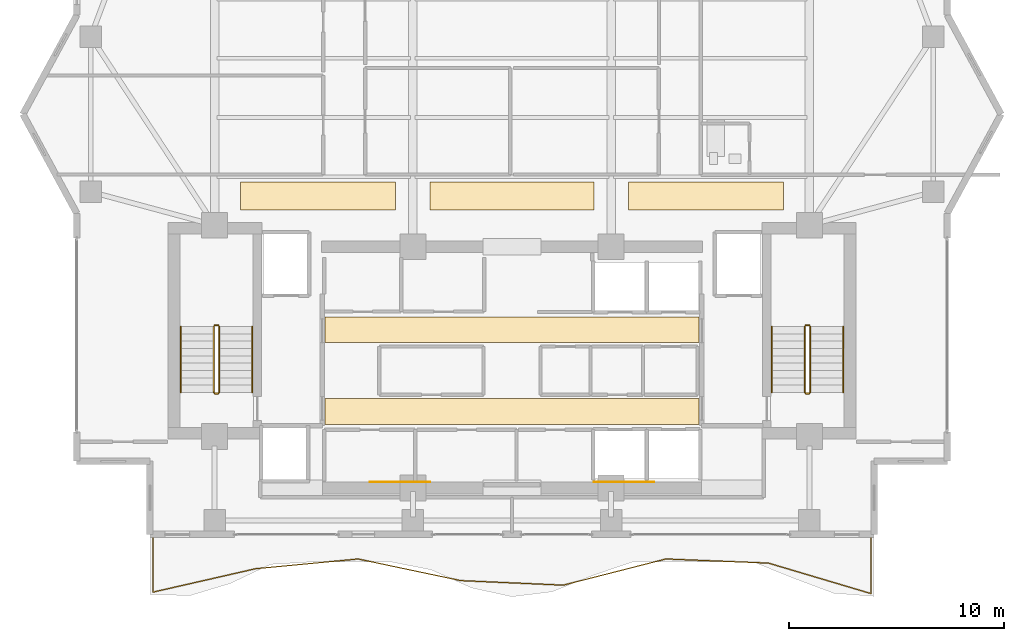
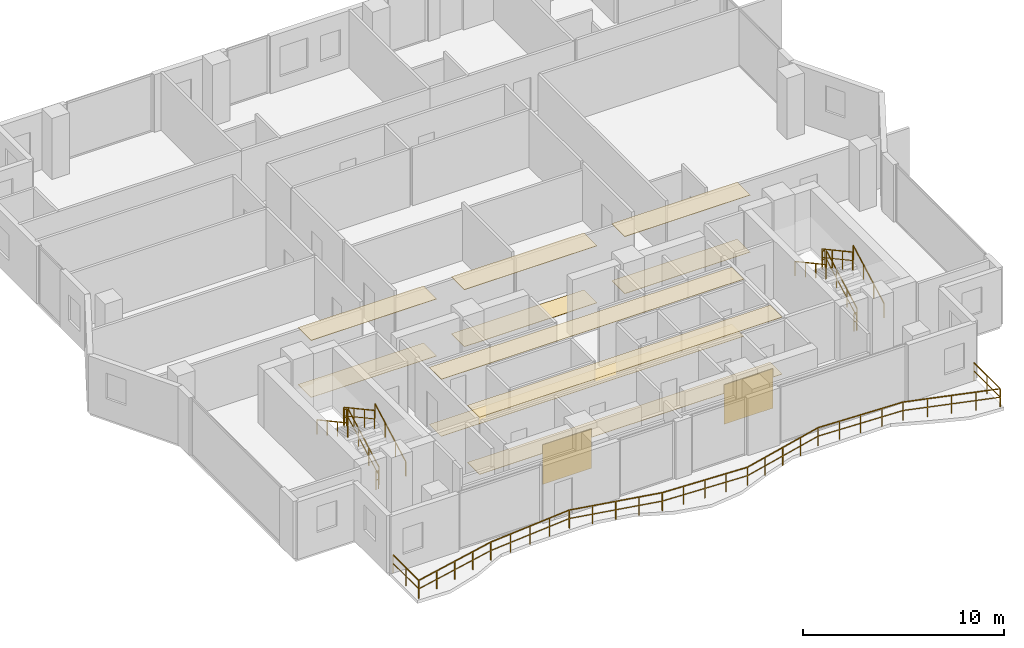
# One storey, part 22 of 24: 13 railings, 12 coverings.
"""IFC4 building model written with IfcOpenShell, lengths in metres."""

from ifc_helpers import new_model, si_unit, direction, frame, origin, origin_2d, place, context, subcontext, project, spatial, polyline, rectangle, outline, extrude, material, layer, layer_set, type_object, element, save


model = new_model("IFC4")

# Units and contexts
model_context = context("Model", 3, precision=1e-05, world=origin(), true_north=direction((0.0, 1.0)))
body_context = subcontext(model_context, "Body", "Model", "MODEL_VIEW")
ifc_project = project(units=[si_unit("LENGTHUNIT", "METRE"), si_unit("AREAUNIT", "SQUARE_METRE"), si_unit("VOLUMEUNIT", "CUBIC_METRE"), si_unit("PLANEANGLEUNIT", "RADIAN"), si_unit("MASSUNIT", "GRAM", prefix="KILO")], contexts=[model_context])

# Site, building, storey
site_placement = place(None, origin())
site = spatial("IfcSite", under=ifc_project, at=site_placement, CompositionType="ELEMENT")
building_placement = place(site_placement, origin())
building = spatial("IfcBuilding", under=site, at=building_placement, Name="Zuhayl Quay Hotel", CompositionType="ELEMENT")
storey_placement = place(building_placement, frame((0.0, 0.0, 269.25)))
storey = spatial("IfcBuildingStorey", under=building, at=storey_placement, Name="L68", CompositionType="ELEMENT", Elevation=269.25)

# Coverings
ifc_material_1 = material(Name="Acoustic Mineral-Fibre Gypsum Board")
ifc_layer_1 = layer(ifc_material_1, 0.02490234375, Name="Acoustic Mineral-Fibre Gypsum Board")
ifc_layer_set_1 = layer_set([ifc_layer_1], Name="Acoustic Mineral-Fibre Gypsum Board")
covering_type_1 = type_object("IfcCoveringType", Name="CV_CEIL_ACOUSTIC", PredefinedType="CEILING", material=ifc_layer_set_1)
covering_1_placement = place(storey_placement, frame((0.0, 0.0, 3.455078125)))
element("IfcCovering", 1, at=covering_1_placement, inside=storey, type_object=covering_type_1, Name="L68 Suspended Acoustic Lobby Ceiling S", PredefinedType="CEILING", context=body_context, shape_type="SweptSolid", body=[
    extrude(outline(polyline([(-8.679931640625, 5.10009765625), (8.679931640625, 5.10009765625), (8.679931640625, 6.300048828125), (-8.679931640625, 6.300048828125), (-8.679931640625, 5.10009765625)])), origin(), (0.0, 0.0, 1.0), 0.02490234375),
])
covering_2_placement = place(storey_placement, frame((0.0, 0.0, 3.455078125)))
element("IfcCovering", 2, at=covering_2_placement, inside=storey, type_object=covering_type_1, Name="L68 Suspended Acoustic Lobby Ceiling N", PredefinedType="CEILING", context=body_context, shape_type="SweptSolid", body=[
    extrude(outline(polyline([(-8.679931640625, 8.89990234375), (8.679931640625, 8.89990234375), (8.679931640625, 10.10009765625), (-8.679931640625, 10.10009765625), (-8.679931640625, 8.89990234375)])), origin(), (0.0, 0.0, 1.0), 0.02490234375),
])
covering_3_placement = place(storey_placement, frame((0.0, 0.0, 3.455078125)))
element("IfcCovering", 3, at=covering_3_placement, inside=storey, type_object=covering_type_1, Name="L68 Guest Corridor Acoustic Ceiling CW", PredefinedType="CEILING", context=body_context, shape_type="SweptSolid", body=[
    extrude(outline(polyline([(-12.60009765625, 15.050048828125), (-5.39990234375, 15.050048828125), (-5.39990234375, 16.35009765625), (-12.60009765625, 16.35009765625), (-12.60009765625, 15.050048828125)])), origin(), (0.0, 0.0, 1.0), 0.02490234375),
])
covering_4_placement = place(storey_placement, frame((0.0, 0.0, 3.455078125)))
element("IfcCovering", 4, at=covering_4_placement, inside=storey, type_object=covering_type_1, Name="L68 Guest Corridor Acoustic Ceiling CC", PredefinedType="CEILING", context=body_context, shape_type="SweptSolid", body=[
    extrude(outline(polyline([(-3.800048828125, 15.050048828125), (3.800048828125, 15.050048828125), (3.800048828125, 16.35009765625), (-3.800048828125, 16.35009765625), (-3.800048828125, 15.050048828125)])), origin(), (0.0, 0.0, 1.0), 0.02490234375),
])
covering_5_placement = place(storey_placement, frame((0.0, 0.0, 3.455078125)))
element("IfcCovering", 5, at=covering_5_placement, inside=storey, type_object=covering_type_1, Name="L68 Guest Corridor Acoustic Ceiling CE", PredefinedType="CEILING", context=body_context, shape_type="SweptSolid", body=[
    extrude(outline(polyline([(5.39990234375, 15.050048828125), (12.60009765625, 15.050048828125), (12.60009765625, 16.35009765625), (5.39990234375, 16.35009765625), (5.39990234375, 15.050048828125)])), origin(), (0.0, 0.0, 1.0), 0.02490234375),
])
ifc_material_2 = material(Name="Polished Limestone Terrazzo", Category="masonry")
ifc_layer_2 = layer(ifc_material_2, 0.02001953125, Name="Polished Limestone Terrazzo", Category="masonry")
ifc_layer_set_2 = layer_set([ifc_layer_2], Name="Polished Limestone Terrazzo")
covering_type_2 = type_object("IfcCoveringType", Name="CV_FLOOR_TERRAZZO", PredefinedType="FLOORING", material=ifc_layer_set_2)
covering_6_placement = place(storey_placement, origin())
element("IfcCovering", 6, at=covering_6_placement, inside=storey, type_object=covering_type_2, Name="L68 Honed Limestone Terrazzo Lobby Flooring S", PredefinedType="FLOORING", context=body_context, shape_type="SweptSolid", body=[
    extrude(outline(polyline([(-8.679931640625, 5.10009765625), (8.679931640625, 5.10009765625), (8.679931640625, 6.300048828125), (-8.679931640625, 6.300048828125), (-8.679931640625, 5.10009765625)])), origin(), (0.0, 0.0, 1.0), 0.02001953125),
])
covering_7_placement = place(storey_placement, origin())
element("IfcCovering", 7, at=covering_7_placement, inside=storey, type_object=covering_type_2, Name="L68 Honed Limestone Terrazzo Lobby Flooring N", PredefinedType="FLOORING", context=body_context, shape_type="SweptSolid", body=[
    extrude(outline(polyline([(-8.679931640625, 8.89990234375), (8.679931640625, 8.89990234375), (8.679931640625, 10.10009765625), (-8.679931640625, 10.10009765625), (-8.679931640625, 8.89990234375)])), origin(), (0.0, 0.0, 1.0), 0.02001953125),
])
covering_8_placement = place(storey_placement, origin())
element("IfcCovering", 8, at=covering_8_placement, inside=storey, type_object=covering_type_2, Name="L68 Guest Corridor Terrazzo Runner CW", PredefinedType="FLOORING", context=body_context, shape_type="SweptSolid", body=[
    extrude(outline(polyline([(-12.60009765625, 15.050048828125), (-5.39990234375, 15.050048828125), (-5.39990234375, 16.35009765625), (-12.60009765625, 16.35009765625), (-12.60009765625, 15.050048828125)])), origin(), (0.0, 0.0, 1.0), 0.02001953125),
])
covering_9_placement = place(storey_placement, origin())
element("IfcCovering", 9, at=covering_9_placement, inside=storey, type_object=covering_type_2, Name="L68 Guest Corridor Terrazzo Runner CC", PredefinedType="FLOORING", context=body_context, shape_type="SweptSolid", body=[
    extrude(outline(polyline([(-3.800048828125, 15.050048828125), (3.800048828125, 15.050048828125), (3.800048828125, 16.35009765625), (-3.800048828125, 16.35009765625), (-3.800048828125, 15.050048828125)])), origin(), (0.0, 0.0, 1.0), 0.02001953125),
])
covering_10_placement = place(storey_placement, origin())
element("IfcCovering", 10, at=covering_10_placement, inside=storey, type_object=covering_type_2, Name="L68 Guest Corridor Terrazzo Runner CE", PredefinedType="FLOORING", context=body_context, shape_type="SweptSolid", body=[
    extrude(outline(polyline([(5.39990234375, 15.050048828125), (12.60009765625, 15.050048828125), (12.60009765625, 16.35009765625), (5.39990234375, 16.35009765625), (5.39990234375, 15.050048828125)])), origin(), (0.0, 0.0, 1.0), 0.02001953125),
])
ifc_material_3 = material(Name="Acoustic Walnut Feature Timber", Category="wood")
ifc_layer_3 = layer(ifc_material_3, 0.02197265625, Name="Acoustic Walnut Feature Timber", Category="wood")
ifc_layer_set_3 = layer_set([ifc_layer_3], Name="Acoustic Walnut Feature Timber")
covering_type_3 = type_object("IfcCoveringType", Name="CV_WALL_CLAD", PredefinedType="CLADDING", material=ifc_layer_set_3)
for number, where, z_axis, x_axis, name in (
    (11, (-5.199951171875, 2.43603515625, 0.300048828125), (0.0, 0.0, 1.0), (1.0, 0.0, 0.0), "L68 Feature Lobby Walnut Wall Cladding W"),
    (12, (5.199951171875, 2.43603515625, 0.300048828125), (0.0, 0.0, 1.0), (1.0, 0.0, 0.0), "L68 Feature Lobby Walnut Wall Cladding E"),
):
    element("IfcCovering", number, at=place(storey_placement, frame(where, z_axis=z_axis, x_axis=x_axis)), inside=storey, type_object=covering_type_3, Name=name, PredefinedType="CLADDING", context=body_context, shape_type="SweptSolid", body=[
        extrude(rectangle(XDim=2.800048828125, YDim=0.02197265625, at=origin_2d()), origin(), (0.0, 0.0, 1.0), 2.39990234375),
    ])

# Railings
ifc_material_4 = material(Name="Anodised Aluminium and Laminated Glass", Category="aluminium")
railing_type_1 = type_object("IfcRailingType", Name="RL_EXT_BAL_1100", PredefinedType="BALUSTRADE", material=ifc_material_4)
railing_1_placement = place(storey_placement, frame((-16.659912109375, -0.1201171875, 0.0)))
element("IfcRailing", 13, at=railing_1_placement, inside=storey, type_object=railing_type_1, Name="L68 Balcony and Terrace Guard GR_L68_BAL_S", PredefinedType="BALUSTRADE", context=body_context, shape_type="SweptSolid", body=[
    extrude(rectangle(XDim=0.048095703125, YDim=0.048095703125, at=origin_2d()), frame((0.0, 0.0, 1.09619140625), z_axis=(0.0, -1.0, 0.0), x_axis=(1.0, 0.0, 0.0)), (0.0, 0.0, 1.0), 2.557861328125),
    extrude(rectangle(XDim=0.0361328125, YDim=0.0361328125, at=origin_2d()), frame((0.0, 0.0, 0.58251953125), z_axis=(0.0, -1.0, 0.0), x_axis=(1.0, 0.0, 0.0)), (0.0, 0.0, 1.0), 2.557861328125),
    extrude(rectangle(XDim=0.048095703125, YDim=0.048095703125, at=origin_2d()), frame((0.0, -2.557861328125, 1.09619140625), z_axis=(0.97493944261, 0.222470409815, 0.0), x_axis=(-0.222470409815, 0.97493944261, 0.0)), (0.0, 0.0, 1.0), 4.88232421875),
    extrude(rectangle(XDim=0.0361328125, YDim=0.0361328125, at=origin_2d()), frame((0.0, -2.557861328125, 0.58251953125), z_axis=(0.97493944261, 0.222470409815, 0.0), x_axis=(-0.222470409815, 0.97493944261, 0.0)), (0.0, 0.0, 1.0), 4.88232421875),
    extrude(rectangle(XDim=0.048095703125, YDim=0.048095703125, at=origin_2d()), frame((4.760009765625, -1.4716796875, 1.09619140625), z_axis=(0.995523655096, 0.094512708908, 0.0), x_axis=(-0.094512708908, 0.995523655096, 0.0)), (0.0, 0.0, 1.0), 4.781494140625),
    extrude(rectangle(XDim=0.0361328125, YDim=0.0361328125, at=origin_2d()), frame((4.760009765625, -1.4716796875, 0.58251953125), z_axis=(0.995523655096, 0.094512708908, 0.0), x_axis=(-0.094512708908, 0.995523655096, 0.0)), (0.0, 0.0, 1.0), 4.781494140625),
    extrude(rectangle(XDim=0.048095703125, YDim=0.048095703125, at=origin_2d()), frame((9.52001953125, -1.019775390625, 1.09619140625), z_axis=(0.978485306773, -0.206316515164, 0.0), x_axis=(0.206316515164, 0.978485306773, 0.0)), (0.0, 0.0, 1.0), 4.86474609375),
    extrude(rectangle(XDim=0.0361328125, YDim=0.0361328125, at=origin_2d()), frame((9.52001953125, -1.019775390625, 0.58251953125), z_axis=(0.978485306773, -0.206316515164, 0.0), x_axis=(0.206316515164, 0.978485306773, 0.0)), (0.0, 0.0, 1.0), 4.86474609375),
    extrude(rectangle(XDim=0.048095703125, YDim=0.048095703125, at=origin_2d()), frame((14.280029296875, -2.0234375, 1.09619140625), z_axis=(0.999026243054, -0.044119901276, 0.0), x_axis=(0.044119901276, 0.999026243054, 0.0)), (0.0, 0.0, 1.0), 4.764404296875),
    extrude(rectangle(XDim=0.0361328125, YDim=0.0361328125, at=origin_2d()), frame((14.280029296875, -2.0234375, 0.58251953125), z_axis=(0.999026243054, -0.044119901276, 0.0), x_axis=(0.044119901276, 0.999026243054, 0.0)), (0.0, 0.0, 1.0), 4.764404296875),
    extrude(rectangle(XDim=0.048095703125, YDim=0.048095703125, at=origin_2d()), frame((19.039794921875, -2.233642578125, 1.09619140625), z_axis=(0.968988639682, 0.247105273452, 0.0), x_axis=(-0.247105273452, 0.968988639682, 0.0)), (0.0, 0.0, 1.0), 4.912353515625),
    extrude(rectangle(XDim=0.0361328125, YDim=0.0361328125, at=origin_2d()), frame((19.039794921875, -2.233642578125, 0.58251953125), z_axis=(0.968988639682, 0.247105273452, 0.0), x_axis=(-0.247105273452, 0.968988639682, 0.0)), (0.0, 0.0, 1.0), 4.912353515625),
    extrude(rectangle(XDim=0.048095703125, YDim=0.048095703125, at=origin_2d()), frame((23.7998046875, -1.019775390625, 1.09619140625), z_axis=(0.999198664798, -0.040025345295, 0.0), x_axis=(0.040025345295, 0.999198664798, 0.0)), (0.0, 0.0, 1.0), 4.763916015625),
    extrude(rectangle(XDim=0.0361328125, YDim=0.0361328125, at=origin_2d()), frame((23.7998046875, -1.019775390625, 0.58251953125), z_axis=(0.999198664798, -0.040025345295, 0.0), x_axis=(0.040025345295, 0.999198664798, 0.0)), (0.0, 0.0, 1.0), 4.763916015625),
    extrude(rectangle(XDim=0.048095703125, YDim=0.048095703125, at=origin_2d()), frame((28.559814453125, -1.21044921875, 1.09619140625), z_axis=(0.95856865379, -0.284861608456, 0.0), x_axis=(0.284861608456, 0.95856865379, 0.0)), (0.0, 0.0, 1.0), 4.9658203125),
    extrude(rectangle(XDim=0.0361328125, YDim=0.0361328125, at=origin_2d()), frame((28.559814453125, -1.21044921875, 0.58251953125), z_axis=(0.95856865379, -0.284861608456, 0.0), x_axis=(0.284861608456, 0.95856865379, 0.0)), (0.0, 0.0, 1.0), 4.9658203125),
    extrude(rectangle(XDim=0.048095703125, YDim=0.048095703125, at=origin_2d()), frame((33.31982421875, -2.625, 1.09619140625), z_axis=(0.0, 1.0, 0.0), x_axis=(-1.0, 0.0, 0.0)), (0.0, 0.0, 1.0), 2.625),
    extrude(rectangle(XDim=0.0361328125, YDim=0.0361328125, at=origin_2d()), frame((33.31982421875, -2.625, 0.58251953125), z_axis=(0.0, 1.0, 0.0), x_axis=(-1.0, 0.0, 0.0)), (0.0, 0.0, 1.0), 2.625),
    extrude(rectangle(XDim=0.0419921875, YDim=0.0419921875, at=origin_2d()), origin(), (0.0, 0.0, 1.0), 1.072021484375),
    extrude(rectangle(XDim=0.0419921875, YDim=0.0419921875, at=origin_2d()), frame((0.0, -1.27880859375, 0.0)), (0.0, 0.0, 1.0), 1.072021484375),
    extrude(rectangle(XDim=0.0419921875, YDim=0.0419921875, at=origin_2d()), frame((0.0, -2.557861328125, 0.0)), (0.0, 0.0, 1.0), 1.072021484375),
    extrude(rectangle(XDim=0.0419921875, YDim=0.0419921875, at=origin_2d()), frame((1.18994140625, -2.286376953125, 0.0)), (0.0, 0.0, 1.0), 1.072021484375),
    extrude(rectangle(XDim=0.0419921875, YDim=0.0419921875, at=origin_2d()), frame((2.3798828125, -2.0146484375, 0.0)), (0.0, 0.0, 1.0), 1.072021484375),
    extrude(rectangle(XDim=0.0419921875, YDim=0.0419921875, at=origin_2d()), frame((3.570068359375, -1.7431640625, 0.0)), (0.0, 0.0, 1.0), 1.072021484375),
    extrude(rectangle(XDim=0.0419921875, YDim=0.0419921875, at=origin_2d()), frame((4.760009765625, -1.4716796875, 0.0)), (0.0, 0.0, 1.0), 1.072021484375),
    extrude(rectangle(XDim=0.0419921875, YDim=0.0419921875, at=origin_2d()), frame((5.949951171875, -1.358642578125, 0.0)), (0.0, 0.0, 1.0), 1.072021484375),
    extrude(rectangle(XDim=0.0419921875, YDim=0.0419921875, at=origin_2d()), frame((7.14013671875, -1.24560546875, 0.0)), (0.0, 0.0, 1.0), 1.072021484375),
    extrude(rectangle(XDim=0.0419921875, YDim=0.0419921875, at=origin_2d()), frame((8.330078125, -1.1328125, 0.0)), (0.0, 0.0, 1.0), 1.072021484375),
    extrude(rectangle(XDim=0.0419921875, YDim=0.0419921875, at=origin_2d()), frame((9.52001953125, -1.019775390625, 0.0)), (0.0, 0.0, 1.0), 1.072021484375),
    extrude(rectangle(XDim=0.0419921875, YDim=0.0419921875, at=origin_2d()), frame((10.7099609375, -1.270751953125, 0.0)), (0.0, 0.0, 1.0), 1.072021484375),
    extrude(rectangle(XDim=0.0419921875, YDim=0.0419921875, at=origin_2d()), frame((11.89990234375, -1.521484375, 0.0)), (0.0, 0.0, 1.0), 1.072021484375),
    extrude(rectangle(XDim=0.0419921875, YDim=0.0419921875, at=origin_2d()), frame((13.090087890625, -1.7724609375, 0.0)), (0.0, 0.0, 1.0), 1.072021484375),
    extrude(rectangle(XDim=0.0419921875, YDim=0.0419921875, at=origin_2d()), frame((14.280029296875, -2.0234375, 0.0)), (0.0, 0.0, 1.0), 1.072021484375),
    extrude(rectangle(XDim=0.0419921875, YDim=0.0419921875, at=origin_2d()), frame((15.469970703125, -2.075927734375, 0.0)), (0.0, 0.0, 1.0), 1.072021484375),
    extrude(rectangle(XDim=0.0419921875, YDim=0.0419921875, at=origin_2d()), frame((16.659912109375, -2.12841796875, 0.0)), (0.0, 0.0, 1.0), 1.072021484375),
    extrude(rectangle(XDim=0.0419921875, YDim=0.0419921875, at=origin_2d()), frame((17.849853515625, -2.18115234375, 0.0)), (0.0, 0.0, 1.0), 1.072021484375),
    extrude(rectangle(XDim=0.0419921875, YDim=0.0419921875, at=origin_2d()), frame((19.039794921875, -2.233642578125, 0.0)), (0.0, 0.0, 1.0), 1.072021484375),
    extrude(rectangle(XDim=0.0419921875, YDim=0.0419921875, at=origin_2d()), frame((20.229736328125, -1.93017578125, 0.0)), (0.0, 0.0, 1.0), 1.072021484375),
    extrude(rectangle(XDim=0.0419921875, YDim=0.0419921875, at=origin_2d()), frame((21.419921875, -1.626708984375, 0.0)), (0.0, 0.0, 1.0), 1.072021484375),
    extrude(rectangle(XDim=0.0419921875, YDim=0.0419921875, at=origin_2d()), frame((22.60986328125, -1.3232421875, 0.0)), (0.0, 0.0, 1.0), 1.072021484375),
    extrude(rectangle(XDim=0.0419921875, YDim=0.0419921875, at=origin_2d()), frame((23.7998046875, -1.019775390625, 0.0)), (0.0, 0.0, 1.0), 1.072021484375),
    extrude(rectangle(XDim=0.0419921875, YDim=0.0419921875, at=origin_2d()), frame((24.98974609375, -1.0673828125, 0.0)), (0.0, 0.0, 1.0), 1.072021484375),
    extrude(rectangle(XDim=0.0419921875, YDim=0.0419921875, at=origin_2d()), frame((26.1796875, -1.115234375, 0.0)), (0.0, 0.0, 1.0), 1.072021484375),
    extrude(rectangle(XDim=0.0419921875, YDim=0.0419921875, at=origin_2d()), frame((27.369873046875, -1.162841796875, 0.0)), (0.0, 0.0, 1.0), 1.072021484375),
    extrude(rectangle(XDim=0.0419921875, YDim=0.0419921875, at=origin_2d()), frame((28.559814453125, -1.21044921875, 0.0)), (0.0, 0.0, 1.0), 1.072021484375),
    extrude(rectangle(XDim=0.0419921875, YDim=0.0419921875, at=origin_2d()), frame((29.749755859375, -1.56396484375, 0.0)), (0.0, 0.0, 1.0), 1.072021484375),
    extrude(rectangle(XDim=0.0419921875, YDim=0.0419921875, at=origin_2d()), frame((30.93994140625, -1.917724609375, 0.0)), (0.0, 0.0, 1.0), 1.072021484375),
    extrude(rectangle(XDim=0.0419921875, YDim=0.0419921875, at=origin_2d()), frame((32.1298828125, -2.271484375, 0.0)), (0.0, 0.0, 1.0), 1.072021484375),
    extrude(rectangle(XDim=0.0419921875, YDim=0.0419921875, at=origin_2d()), frame((33.31982421875, -2.625, 0.0)), (0.0, 0.0, 1.0), 1.072021484375),
    extrude(rectangle(XDim=0.0419921875, YDim=0.0419921875, at=origin_2d()), frame((33.31982421875, -1.3125, 0.0)), (0.0, 0.0, 1.0), 1.072021484375),
    extrude(rectangle(XDim=0.0419921875, YDim=0.0419921875, at=origin_2d()), frame((33.31982421875, 0.0, 0.0)), (0.0, 0.0, 1.0), 1.072021484375),
])
ifc_material_5 = material(Name="Steel ASTM A992 Grade 50", Category="steel")
railing_type_2 = type_object("IfcRailingType", Name="RL_GUARD_1100", PredefinedType="GUARDRAIL", material=ifc_material_5)
railing_2_placement = place(storey_placement, frame((-13.590087890625, 6.590087890625, 0.18505859375)))
element("IfcRailing", 14, at=railing_2_placement, inside=storey, type_object=railing_type_2, Name="L68 ST1 stair guard 1", PredefinedType="GUARDRAIL", context=body_context, shape_type="SweptSolid", body=[
    extrude(rectangle(XDim=0.048095703125, YDim=0.048095703125, at=origin_2d()), frame((0.0, 0.0, 1.09619140625), z_axis=(0.0, 0.878371892512, 0.477977843049), x_axis=(-1.0, 0.0, 0.0)), (0.0, 0.0, 1.0), 3.4833984375),
    extrude(rectangle(XDim=0.0361328125, YDim=0.0361328125, at=origin_2d()), frame((0.0, 0.0, 0.58251953125), z_axis=(0.0, 0.878371892512, 0.477977843049), x_axis=(-1.0, 0.0, 0.0)), (0.0, 0.0, 1.0), 3.4833984375),
    extrude(rectangle(XDim=0.0419921875, YDim=0.0419921875, at=origin_2d()), origin(), (0.0, 0.0, 1.0), 1.072021484375),
    extrude(rectangle(XDim=0.0419921875, YDim=0.0419921875, at=origin_2d()), frame((0.0, 1.02001953125, 0.554931640625)), (0.0, 0.0, 1.0), 1.072021484375),
    extrude(rectangle(XDim=0.0419921875, YDim=0.0419921875, at=origin_2d()), frame((0.0, 2.039794921875, 1.110107421875)), (0.0, 0.0, 1.0), 1.072021484375),
    extrude(rectangle(XDim=0.0419921875, YDim=0.0419921875, at=origin_2d()), frame((0.0, 3.059814453125, 1.6650390625)), (0.0, 0.0, 1.0), 1.072021484375),
])
railing_3_placement = place(storey_placement, frame((-13.639892578125, 9.699951171875, 1.85009765625)))
element("IfcRailing", 15, at=railing_3_placement, inside=storey, type_object=railing_type_2, Name="L68 ST1 stair guard 2", PredefinedType="GUARDRAIL", context=body_context, shape_type="SweptSolid", body=[
    extrude(rectangle(XDim=0.048095703125, YDim=0.048095703125, at=origin_2d()), frame((0.0, 0.0, 1.09619140625), z_axis=(-1.0, 0.0, 0.0), x_axis=(0.0, -1.0, 0.0)), (0.0, 0.0, 1.0), 0.150146484375),
    extrude(rectangle(XDim=0.0361328125, YDim=0.0361328125, at=origin_2d()), frame((0.0, 0.0, 0.58251953125), z_axis=(-1.0, 0.0, 0.0), x_axis=(0.0, -1.0, 0.0)), (0.0, 0.0, 1.0), 0.150146484375),
    extrude(rectangle(XDim=0.0419921875, YDim=0.0419921875, at=origin_2d()), origin(), (0.0, 0.0, 1.0), 1.072021484375),
    extrude(rectangle(XDim=0.0419921875, YDim=0.0419921875, at=origin_2d()), frame((-0.150146484375, 0.0, 0.0)), (0.0, 0.0, 1.0), 1.072021484375),
])
railing_4_placement = place(storey_placement, frame((-13.840087890625, 9.64990234375, 2.034912109375)))
element("IfcRailing", 16, at=railing_4_placement, inside=storey, type_object=railing_type_2, Name="L68 ST1 stair guard 3", PredefinedType="GUARDRAIL", context=body_context, shape_type="SweptSolid", body=[
    extrude(rectangle(XDim=0.048095703125, YDim=0.048095703125, at=origin_2d()), frame((0.0, 0.0, 1.09619140625), z_axis=(0.0, -0.878371892512, 0.477977843049), x_axis=(1.0, 0.0, 0.0)), (0.0, 0.0, 1.0), 3.4833984375),
    extrude(rectangle(XDim=0.0361328125, YDim=0.0361328125, at=origin_2d()), frame((0.0, 0.0, 0.58251953125), z_axis=(0.0, -0.878371892512, 0.477977843049), x_axis=(1.0, 0.0, 0.0)), (0.0, 0.0, 1.0), 3.4833984375),
    extrude(rectangle(XDim=0.0419921875, YDim=0.0419921875, at=origin_2d()), origin(), (0.0, 0.0, 1.0), 1.072021484375),
    extrude(rectangle(XDim=0.0419921875, YDim=0.0419921875, at=origin_2d()), frame((0.0, -1.02001953125, 0.554931640625)), (0.0, 0.0, 1.0), 1.072021484375),
    extrude(rectangle(XDim=0.0419921875, YDim=0.0419921875, at=origin_2d()), frame((0.0, -2.039794921875, 1.110107421875)), (0.0, 0.0, 1.0), 1.072021484375),
    extrude(rectangle(XDim=0.0419921875, YDim=0.0419921875, at=origin_2d()), frame((0.0, -3.059814453125, 1.6650390625)), (0.0, 0.0, 1.0), 1.072021484375),
])
railing_5_placement = place(storey_placement, frame((-13.639892578125, 6.5400390625, 0.0)))
element("IfcRailing", 17, at=railing_5_placement, inside=storey, type_object=railing_type_2, Name="L68 ST1 stair guard 4", PredefinedType="GUARDRAIL", context=body_context, shape_type="SweptSolid", body=[
    extrude(rectangle(XDim=0.048095703125, YDim=0.048095703125, at=origin_2d()), frame((0.0, 0.0, 1.09619140625), z_axis=(-1.0, 0.0, 0.0), x_axis=(0.0, -1.0, 0.0)), (0.0, 0.0, 1.0), 0.150146484375),
    extrude(rectangle(XDim=0.0361328125, YDim=0.0361328125, at=origin_2d()), frame((0.0, 0.0, 0.58251953125), z_axis=(-1.0, 0.0, 0.0), x_axis=(0.0, -1.0, 0.0)), (0.0, 0.0, 1.0), 0.150146484375),
    extrude(rectangle(XDim=0.0419921875, YDim=0.0419921875, at=origin_2d()), origin(), (0.0, 0.0, 1.0), 1.072021484375),
    extrude(rectangle(XDim=0.0419921875, YDim=0.0419921875, at=origin_2d()), frame((-0.150146484375, 0.0, 0.0)), (0.0, 0.0, 1.0), 1.072021484375),
])
railing_6_placement = place(storey_placement, frame((13.840087890625, 6.590087890625, 0.18505859375)))
element("IfcRailing", 18, at=railing_6_placement, inside=storey, type_object=railing_type_2, Name="L68 ST2 stair guard 1", PredefinedType="GUARDRAIL", context=body_context, shape_type="SweptSolid", body=[
    extrude(rectangle(XDim=0.048095703125, YDim=0.048095703125, at=origin_2d()), frame((0.0, 0.0, 1.09619140625), z_axis=(0.0, 0.878371892512, 0.477977843049), x_axis=(-1.0, 0.0, 0.0)), (0.0, 0.0, 1.0), 3.4833984375),
    extrude(rectangle(XDim=0.0361328125, YDim=0.0361328125, at=origin_2d()), frame((0.0, 0.0, 0.58251953125), z_axis=(0.0, 0.878371892512, 0.477977843049), x_axis=(-1.0, 0.0, 0.0)), (0.0, 0.0, 1.0), 3.4833984375),
    extrude(rectangle(XDim=0.0419921875, YDim=0.0419921875, at=origin_2d()), origin(), (0.0, 0.0, 1.0), 1.072021484375),
    extrude(rectangle(XDim=0.0419921875, YDim=0.0419921875, at=origin_2d()), frame((0.0, 1.02001953125, 0.554931640625)), (0.0, 0.0, 1.0), 1.072021484375),
    extrude(rectangle(XDim=0.0419921875, YDim=0.0419921875, at=origin_2d()), frame((0.0, 2.039794921875, 1.110107421875)), (0.0, 0.0, 1.0), 1.072021484375),
    extrude(rectangle(XDim=0.0419921875, YDim=0.0419921875, at=origin_2d()), frame((0.0, 3.059814453125, 1.6650390625)), (0.0, 0.0, 1.0), 1.072021484375),
])
railing_7_placement = place(storey_placement, frame((13.7900390625, 9.699951171875, 1.85009765625)))
element("IfcRailing", 19, at=railing_7_placement, inside=storey, type_object=railing_type_2, Name="L68 ST2 stair guard 2", PredefinedType="GUARDRAIL", context=body_context, shape_type="SweptSolid", body=[
    extrude(rectangle(XDim=0.048095703125, YDim=0.048095703125, at=origin_2d()), frame((0.0, 0.0, 1.09619140625), z_axis=(-1.0, 0.0, 0.0), x_axis=(0.0, -1.0, 0.0)), (0.0, 0.0, 1.0), 0.150146484375),
    extrude(rectangle(XDim=0.0361328125, YDim=0.0361328125, at=origin_2d()), frame((0.0, 0.0, 0.58251953125), z_axis=(-1.0, 0.0, 0.0), x_axis=(0.0, -1.0, 0.0)), (0.0, 0.0, 1.0), 0.150146484375),
    extrude(rectangle(XDim=0.0419921875, YDim=0.0419921875, at=origin_2d()), origin(), (0.0, 0.0, 1.0), 1.072021484375),
    extrude(rectangle(XDim=0.0419921875, YDim=0.0419921875, at=origin_2d()), frame((-0.150146484375, 0.0, 0.0)), (0.0, 0.0, 1.0), 1.072021484375),
])
railing_8_placement = place(storey_placement, frame((13.590087890625, 9.64990234375, 2.034912109375)))
element("IfcRailing", 20, at=railing_8_placement, inside=storey, type_object=railing_type_2, Name="L68 ST2 stair guard 3", PredefinedType="GUARDRAIL", context=body_context, shape_type="SweptSolid", body=[
    extrude(rectangle(XDim=0.048095703125, YDim=0.048095703125, at=origin_2d()), frame((0.0, 0.0, 1.09619140625), z_axis=(0.0, -0.878371892512, 0.477977843049), x_axis=(1.0, 0.0, 0.0)), (0.0, 0.0, 1.0), 3.4833984375),
    extrude(rectangle(XDim=0.0361328125, YDim=0.0361328125, at=origin_2d()), frame((0.0, 0.0, 0.58251953125), z_axis=(0.0, -0.878371892512, 0.477977843049), x_axis=(1.0, 0.0, 0.0)), (0.0, 0.0, 1.0), 3.4833984375),
    extrude(rectangle(XDim=0.0419921875, YDim=0.0419921875, at=origin_2d()), origin(), (0.0, 0.0, 1.0), 1.072021484375),
    extrude(rectangle(XDim=0.0419921875, YDim=0.0419921875, at=origin_2d()), frame((0.0, -1.02001953125, 0.554931640625)), (0.0, 0.0, 1.0), 1.072021484375),
    extrude(rectangle(XDim=0.0419921875, YDim=0.0419921875, at=origin_2d()), frame((0.0, -2.039794921875, 1.110107421875)), (0.0, 0.0, 1.0), 1.072021484375),
    extrude(rectangle(XDim=0.0419921875, YDim=0.0419921875, at=origin_2d()), frame((0.0, -3.059814453125, 1.6650390625)), (0.0, 0.0, 1.0), 1.072021484375),
])
railing_9_placement = place(storey_placement, frame((13.7900390625, 6.5400390625, 0.0)))
element("IfcRailing", 21, at=railing_9_placement, inside=storey, type_object=railing_type_2, Name="L68 ST2 stair guard 4", PredefinedType="GUARDRAIL", context=body_context, shape_type="SweptSolid", body=[
    extrude(rectangle(XDim=0.048095703125, YDim=0.048095703125, at=origin_2d()), frame((0.0, 0.0, 1.09619140625), z_axis=(-1.0, 0.0, 0.0), x_axis=(0.0, -1.0, 0.0)), (0.0, 0.0, 1.0), 0.150146484375),
    extrude(rectangle(XDim=0.0361328125, YDim=0.0361328125, at=origin_2d()), frame((0.0, 0.0, 0.58251953125), z_axis=(-1.0, 0.0, 0.0), x_axis=(0.0, -1.0, 0.0)), (0.0, 0.0, 1.0), 0.150146484375),
    extrude(rectangle(XDim=0.0419921875, YDim=0.0419921875, at=origin_2d()), origin(), (0.0, 0.0, 1.0), 1.072021484375),
    extrude(rectangle(XDim=0.0419921875, YDim=0.0419921875, at=origin_2d()), frame((-0.150146484375, 0.0, 0.0)), (0.0, 0.0, 1.0), 1.072021484375),
])
railing_type_3 = type_object("IfcRailingType", Name="RL_HANDRAIL_920", PredefinedType="HANDRAIL", material=ifc_material_5)
railing_10_placement = place(storey_placement, frame((-12.050048828125, 6.590087890625, 0.18505859375)))
element("IfcRailing", 22, at=railing_10_placement, inside=storey, type_object=railing_type_3, Name="L68 ST1 stair handrail 1", PredefinedType="HANDRAIL", context=body_context, shape_type="SweptSolid", body=[
    extrude(rectangle(XDim=0.048095703125, YDim=0.048095703125, at=origin_2d()), frame((0.0, 0.0, 0.8759765625), z_axis=(0.0, 0.878371892512, 0.477977843049), x_axis=(-1.0, 0.0, 0.0)), (0.0, 0.0, 1.0), 3.4833984375),
    extrude(rectangle(XDim=0.0419921875, YDim=0.0419921875, at=origin_2d()), origin(), (0.0, 0.0, 1.0), 0.851806640625),
    extrude(rectangle(XDim=0.0419921875, YDim=0.0419921875, at=origin_2d()), frame((0.0, 1.02001953125, 0.554931640625)), (0.0, 0.0, 1.0), 0.851806640625),
    extrude(rectangle(XDim=0.0419921875, YDim=0.0419921875, at=origin_2d()), frame((0.0, 2.039794921875, 1.110107421875)), (0.0, 0.0, 1.0), 0.851806640625),
    extrude(rectangle(XDim=0.0419921875, YDim=0.0419921875, at=origin_2d()), frame((0.0, 3.059814453125, 1.6650390625)), (0.0, 0.0, 1.0), 0.851806640625),
])
railing_11_placement = place(storey_placement, frame((-15.3798828125, 9.64990234375, 2.034912109375)))
element("IfcRailing", 23, at=railing_11_placement, inside=storey, type_object=railing_type_3, Name="L68 ST1 stair handrail 2", PredefinedType="HANDRAIL", context=body_context, shape_type="SweptSolid", body=[
    extrude(rectangle(XDim=0.048095703125, YDim=0.048095703125, at=origin_2d()), frame((0.0, 0.0, 0.8759765625), z_axis=(0.0, -0.878371892512, 0.477977843049), x_axis=(1.0, 0.0, 0.0)), (0.0, 0.0, 1.0), 3.4833984375),
    extrude(rectangle(XDim=0.0419921875, YDim=0.0419921875, at=origin_2d()), origin(), (0.0, 0.0, 1.0), 0.851806640625),
    extrude(rectangle(XDim=0.0419921875, YDim=0.0419921875, at=origin_2d()), frame((0.0, -1.02001953125, 0.554931640625)), (0.0, 0.0, 1.0), 0.851806640625),
    extrude(rectangle(XDim=0.0419921875, YDim=0.0419921875, at=origin_2d()), frame((0.0, -2.039794921875, 1.110107421875)), (0.0, 0.0, 1.0), 0.851806640625),
    extrude(rectangle(XDim=0.0419921875, YDim=0.0419921875, at=origin_2d()), frame((0.0, -3.059814453125, 1.6650390625)), (0.0, 0.0, 1.0), 0.851806640625),
])
railing_12_placement = place(storey_placement, frame((15.3798828125, 6.590087890625, 0.18505859375)))
element("IfcRailing", 24, at=railing_12_placement, inside=storey, type_object=railing_type_3, Name="L68 ST2 stair handrail 1", PredefinedType="HANDRAIL", context=body_context, shape_type="SweptSolid", body=[
    extrude(rectangle(XDim=0.048095703125, YDim=0.048095703125, at=origin_2d()), frame((0.0, 0.0, 0.8759765625), z_axis=(0.0, 0.878371892512, 0.477977843049), x_axis=(-1.0, 0.0, 0.0)), (0.0, 0.0, 1.0), 3.4833984375),
    extrude(rectangle(XDim=0.0419921875, YDim=0.0419921875, at=origin_2d()), origin(), (0.0, 0.0, 1.0), 0.851806640625),
    extrude(rectangle(XDim=0.0419921875, YDim=0.0419921875, at=origin_2d()), frame((0.0, 1.02001953125, 0.554931640625)), (0.0, 0.0, 1.0), 0.851806640625),
    extrude(rectangle(XDim=0.0419921875, YDim=0.0419921875, at=origin_2d()), frame((0.0, 2.039794921875, 1.110107421875)), (0.0, 0.0, 1.0), 0.851806640625),
    extrude(rectangle(XDim=0.0419921875, YDim=0.0419921875, at=origin_2d()), frame((0.0, 3.059814453125, 1.6650390625)), (0.0, 0.0, 1.0), 0.851806640625),
])
railing_13_placement = place(storey_placement, frame((12.050048828125, 9.64990234375, 2.034912109375)))
element("IfcRailing", 25, at=railing_13_placement, inside=storey, type_object=railing_type_3, Name="L68 ST2 stair handrail 2", PredefinedType="HANDRAIL", context=body_context, shape_type="SweptSolid", body=[
    extrude(rectangle(XDim=0.048095703125, YDim=0.048095703125, at=origin_2d()), frame((0.0, 0.0, 0.8759765625), z_axis=(0.0, -0.878371892512, 0.477977843049), x_axis=(1.0, 0.0, 0.0)), (0.0, 0.0, 1.0), 3.4833984375),
    extrude(rectangle(XDim=0.0419921875, YDim=0.0419921875, at=origin_2d()), origin(), (0.0, 0.0, 1.0), 0.851806640625),
    extrude(rectangle(XDim=0.0419921875, YDim=0.0419921875, at=origin_2d()), frame((0.0, -1.02001953125, 0.554931640625)), (0.0, 0.0, 1.0), 0.851806640625),
    extrude(rectangle(XDim=0.0419921875, YDim=0.0419921875, at=origin_2d()), frame((0.0, -2.039794921875, 1.110107421875)), (0.0, 0.0, 1.0), 0.851806640625),
    extrude(rectangle(XDim=0.0419921875, YDim=0.0419921875, at=origin_2d()), frame((0.0, -3.059814453125, 1.6650390625)), (0.0, 0.0, 1.0), 0.851806640625),
])

save(model, "model.ifc")
